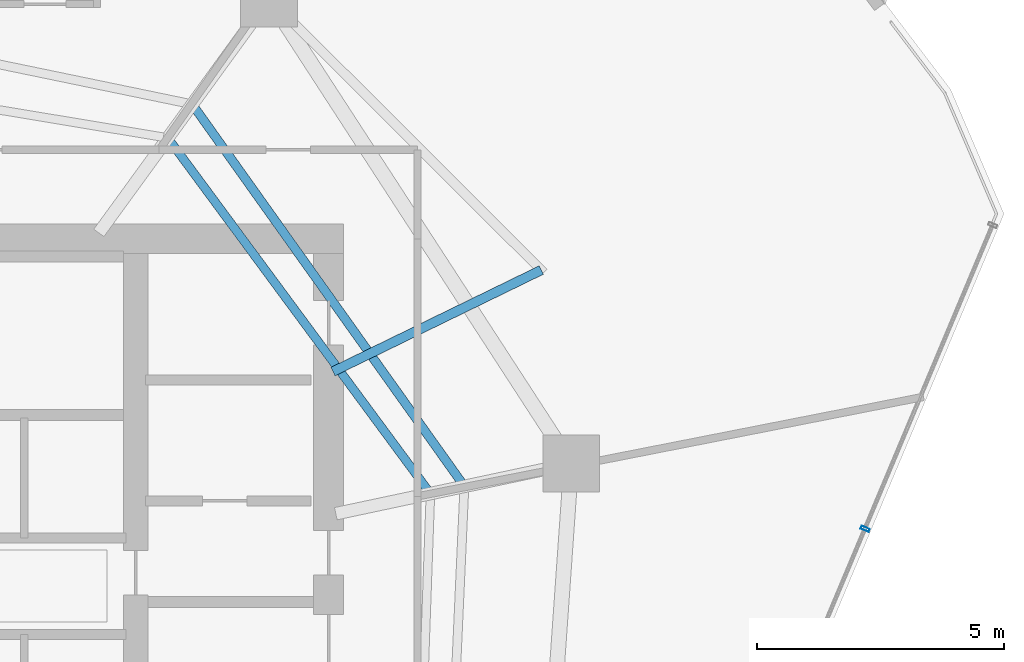
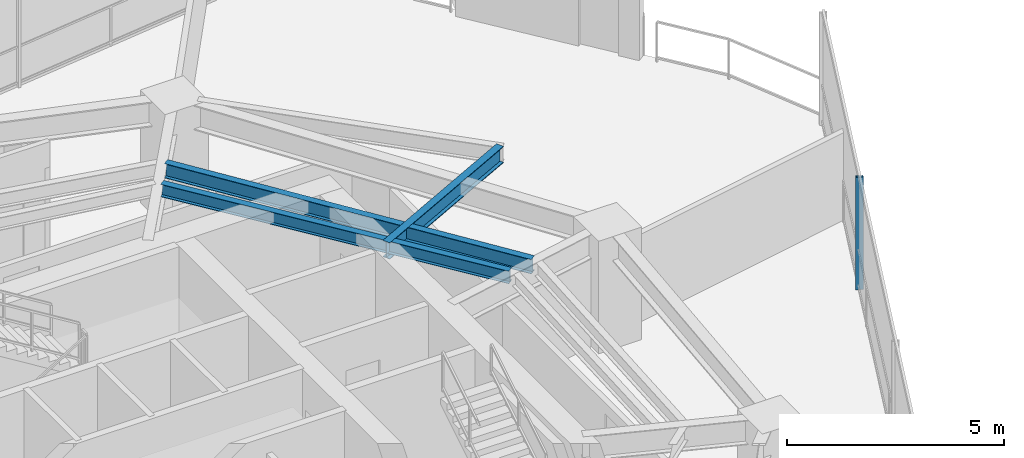
# One storey, part 15 of 30: 3 beams, 1 member, 1 element without a shape of its own.
"""IFC4 building model written with IfcOpenShell, lengths in metres."""

import ifcopenshell
import ifcopenshell.guid

model = None  # the IFC model being written
_history = None  # IfcOwnerHistory: only IFC2X3 demands one
_inside = {}  # id of a spatial element -> (the spatial element, [elements in it])
_under = {}  # id of a project, library or spatial element -> (it, [spatial elements below it])
_declared = {}  # id of a project -> (the project, [libraries it declares])
_typed = {}  # id of a type object -> (the type object, [elements of that type])
_made_of = {}  # id of a material, layer set ... -> (it, [elements and type objects made of it])


def new_model(schema):
    """Start an empty IFC model of exactly this schema.

    Asked for "IFC4X3", IfcOpenShell would pick the latest addendum, in which some entities
    have other attributes; the version numbers below select the first issue.
    IFC2X3 requires an IfcOwnerHistory on every rooted entity: one is made here for all.
    """
    global model, _history
    if schema == "IFC4X3":
        model = ifcopenshell.file(schema_version=(4, 3, 0, 0))
    else:
        model = ifcopenshell.file(schema=schema)
    _inside.clear()
    _under.clear()
    _declared.clear()
    _typed.clear()
    _made_of.clear()
    _history = None
    if model.schema == "IFC2X3":
        org = make("IfcOrganization", Name="unknown")
        user = make(
            "IfcPersonAndOrganization",
            ThePerson=make("IfcPerson", FamilyName="unknown"),
            TheOrganization=org,
        )
        app = make(
            "IfcApplication",
            ApplicationDeveloper=org,
            Version="unknown",
            ApplicationFullName="unknown",
            ApplicationIdentifier="unknown",
        )
        _history = make(
            "IfcOwnerHistory",
            OwningUser=user,
            OwningApplication=app,
            ChangeAction="ADDED",
            CreationDate=0,
        )
    return model


def make(cls, **values):
    """One entity of the class cls with the attributes given. An attribute that is None is left unset."""
    return model.create_entity(
        cls, **{name: value for name, value in values.items() if value is not None}
    )


def rooted(cls, **values):
    """An entity with a GlobalId (a new one), such as an element, a storey or a relation."""
    return make(cls, GlobalId=ifcopenshell.guid.new(), OwnerHistory=_history, **values)


def si_unit(unit_type, name, prefix=None):
    """IfcSIUnit, for example si_unit("LENGTHUNIT", "METRE", prefix="MILLI")."""
    return make("IfcSIUnit", UnitType=unit_type, Prefix=prefix, Name=name)


def assignment(units):
    """IfcUnitAssignment: the units of a project."""
    return None if units is None else make("IfcUnitAssignment", Units=units)


def point(xyz):
    """IfcCartesianPoint."""
    return None if xyz is None else make("IfcCartesianPoint", Coordinates=xyz)


def direction(xyz):
    """IfcDirection."""
    return None if xyz is None else make("IfcDirection", DirectionRatios=xyz)


def frame(location, z_axis=None, x_axis=None):
    """IfcAxis2Placement3D, a coordinate frame: its origin and axes. An axis left out is left unset."""
    return make(
        "IfcAxis2Placement3D",
        Location=point(location),
        Axis=direction(z_axis),
        RefDirection=direction(x_axis),
    )


def frame_2d(location, x_axis=None):
    """IfcAxis2Placement2D, a coordinate frame in the plane: its origin and x axis."""
    return make(
        "IfcAxis2Placement2D", Location=point(location), RefDirection=direction(x_axis)
    )


def origin():
    """The frame at (0, 0, 0) with its axes left unset."""
    return frame((0.0, 0.0, 0.0))


def origin_2d():
    """The frame at (0, 0) in the plane with its x axis left unset."""
    return frame_2d((0.0, 0.0))


def place(relative_to, where):
    """IfcLocalPlacement: puts the frame where relative to a parent placement (None: the world)."""
    return make(
        "IfcLocalPlacement", PlacementRelTo=relative_to, RelativePlacement=where
    )


def context(
    kind, dimensions, precision=None, world=None, true_north=None, identifier=None
):
    """IfcGeometricRepresentationContext, for example the 3D "Model" context."""
    return make(
        "IfcGeometricRepresentationContext",
        ContextIdentifier=identifier,
        ContextType=kind,
        CoordinateSpaceDimension=dimensions,
        Precision=precision,
        WorldCoordinateSystem=world,
        TrueNorth=true_north,
    )


def subcontext(parent, identifier, kind, view, scale=None):
    """IfcGeometricRepresentationSubContext, for example "Body" below "Model"."""
    return make(
        "IfcGeometricRepresentationSubContext",
        ContextIdentifier=identifier,
        ContextType=kind,
        ParentContext=parent,
        TargetScale=scale,
        TargetView=view,
    )


def project(units=None, contexts=None):
    """IfcProject with its units and contexts."""
    return rooted(
        "IfcProject",
        Name="project",
        RepresentationContexts=contexts,
        UnitsInContext=assignment(units),
    )


def spatial(cls, under=None, at=None, **own):
    """A site, building, storey or space (cls), placed at a placement, below another one or the project."""
    s = rooted(cls, ObjectPlacement=at, **own)
    if under is not None:
        _under.setdefault(under.id(), (under, []))[1].append(s)
    return s


def profile(cls, at=None, kind="AREA", **sizes):
    """A parametric profile (cls). Its sizes go by their IFC names, for example OverallWidth=200.0."""
    return make(cls, ProfileType=kind, Position=at, **sizes)


def hollow_rectangle(**sizes):
    """IfcRectangleHollowProfileDef."""
    return profile("IfcRectangleHollowProfileDef", **sizes)


def i_section(**sizes):
    """IfcIShapeProfileDef."""
    return profile("IfcIShapeProfileDef", **sizes)


def extrude(swept, where, along, depth):
    """IfcExtrudedAreaSolid: the profile swept, set in the frame where, extruded along a direction by depth."""
    return make(
        "IfcExtrudedAreaSolid",
        SweptArea=swept,
        Position=where,
        ExtrudedDirection=direction(along),
        Depth=depth,
    )


def shape(context_of_items, identifier, shape_type, items):
    """IfcShapeRepresentation: the items that make up one representation, for example the "Body"."""
    return make(
        "IfcShapeRepresentation",
        ContextOfItems=context_of_items,
        RepresentationIdentifier=identifier,
        RepresentationType=shape_type,
        Items=items,
    )


def material(Name=None, Category=None):
    """IfcMaterial."""
    return make("IfcMaterial", Name=Name, Category=Category)


def layer(
    of_material, thickness, ventilated=None, Name=None, Category=None, Priority=None
):
    """IfcMaterialLayer: one layer of a wall or slab, of a material (None: an air gap)."""
    return make(
        "IfcMaterialLayer",
        Material=of_material,
        LayerThickness=thickness,
        IsVentilated=ventilated,
        Name=Name,
        Category=Category,
        Priority=Priority,
    )


def layer_set(layers, Name=None):
    """IfcMaterialLayerSet."""
    return make("IfcMaterialLayerSet", MaterialLayers=layers, LayerSetName=Name)


def material_profile(
    of_material, cross_section, Name=None, Category=None, Priority=None
):
    """IfcMaterialProfile: a cross section and its material."""
    return make(
        "IfcMaterialProfile",
        Name=Name,
        Material=of_material,
        Profile=cross_section,
        Priority=Priority,
        Category=Category,
    )


def profile_set(profiles, Name=None, composite=None):
    """IfcMaterialProfileSet."""
    return make(
        "IfcMaterialProfileSet",
        Name=Name,
        MaterialProfiles=profiles,
        CompositeProfile=composite,
    )


def made_of(thing, what):
    """Note that an element or type object is made of a material, layer set ...; save() writes the relation."""
    if what is not None:
        _made_of.setdefault(what.id(), (what, []))[1].append(thing)
    return thing


def type_object(cls, material=None, **own):
    """A type object (cls), such as IfcWallType, which elements share."""
    return made_of(rooted(cls, **own), material)


def element(
    cls,
    number,
    at=None,
    inside=None,
    cuts=None,
    type_object=None,
    material=None,
    context=None,
    identifier="Body",
    shape_type=None,
    held_by="IfcProductDefinitionShape",
    body=None,
    shapes=None,
    **own,
):
    """One element of the class cls, such as IfcWall. Its Tag is "e" and its number.

    at: its placement. inside: the storey or other place that contains it. cuts: it is an
    opening in that element (IfcRelVoidsElement). A single representation is given by context,
    identifier, shape_type and body (its items); several are given by shapes. held_by: the class
    of the entity that holds the representations. save() writes the other relations.
    """
    e = rooted(cls, Tag="e%d" % number, ObjectPlacement=at, **own)
    if body is not None:
        shapes = [shape(context, identifier, shape_type, body)]
    if shapes is not None:
        e.Representation = make(held_by, Representations=shapes)
    if inside is not None:
        _inside.setdefault(inside.id(), (inside, []))[1].append(e)
    if cuts is not None:
        rooted(
            "IfcRelVoidsElement", RelatingBuildingElement=cuts, RelatedOpeningElement=e
        )
    if type_object is not None:
        _typed.setdefault(type_object.id(), (type_object, []))[1].append(e)
    return made_of(e, material)


def aggregate(whole, parts):
    """IfcRelAggregates: a whole, such as a stair, and the parts it consists of."""
    return rooted("IfcRelAggregates", RelatingObject=whole, RelatedObjects=parts)


def save(model, path):
    """Write the relations noted so far, then the file.

    IfcRelAggregates (storeys below a building ...), IfcRelContainedInSpatialStructure (elements
    in a storey), IfcRelDefinesByType, IfcRelAssociatesMaterial and IfcRelDeclares: one each for
    every whole, place, type object, material and project.
    """
    for whole, parts in _under.values():
        aggregate(whole, parts)
    for where, things in _inside.values():
        rooted(
            "IfcRelContainedInSpatialStructure",
            RelatedElements=things,
            RelatingStructure=where,
        )
    for kind, things in _typed.values():
        rooted("IfcRelDefinesByType", RelatedObjects=things, RelatingType=kind)
    for what, things in _made_of.values():
        rooted("IfcRelAssociatesMaterial", RelatedObjects=things, RelatingMaterial=what)
    for by, libraries in _declared.values():
        rooted("IfcRelDeclares", RelatingContext=by, RelatedDefinitions=libraries)
    model.write(path)


model = new_model("IFC4")

# Units and contexts
model_context = context("Model", 3, precision=1e-05, world=origin(), true_north=direction((0.0, 1.0)))
body_context = subcontext(model_context, "Body", "Model", "MODEL_VIEW")
ifc_project = project(units=[si_unit("LENGTHUNIT", "METRE"), si_unit("AREAUNIT", "SQUARE_METRE"), si_unit("VOLUMEUNIT", "CUBIC_METRE"), si_unit("PLANEANGLEUNIT", "RADIAN"), si_unit("MASSUNIT", "GRAM", prefix="KILO")], contexts=[model_context])

# Site, building, storey
site_placement = place(None, origin())
site = spatial("IfcSite", under=ifc_project, at=site_placement, CompositionType="ELEMENT")
building_placement = place(site_placement, origin())
building = spatial("IfcBuilding", under=site, at=building_placement, Name="Qarnah Convention Tower", CompositionType="ELEMENT")
storey_placement = place(building_placement, frame((0.0, 0.0, 93.60009765625)))
storey = spatial("IfcBuildingStorey", under=building, at=storey_placement, Name="L24", CompositionType="ELEMENT", Elevation=93.60009765625)

# Beams
ifc_material_1 = material(Name="Structural steel S355JR", Category="steel")
ifc_material_profile_1 = material_profile(ifc_material_1, i_section(OverallWidth=0.19189453125, OverallDepth=0.464111328125, WebThickness=0.010986328125, FlangeThickness=0.01806640625, at=origin_2d()), Name="W460X89")
ifc_profile_set_1 = profile_set([ifc_material_profile_1], Name="Structural steel S355JR")
beam_type_1 = type_object("IfcBeamType", Name="BM-CANT-W460A", PredefinedType="BEAM", material=ifc_profile_set_1)
beam_1_placement = place(storey_placement, frame((47.68994140625, 31.51611328125, 2.93798828125), z_axis=(0.898872044655, 0.438211190339, 0.0), x_axis=(-0.438211190339, 0.898872044655, 0.0)))
element("IfcBeam", 1, at=beam_1_placement, inside=storey, type_object=beam_type_1, Name="L24 beam BM-L24-CNT-01-2", PredefinedType="BEAM", context=body_context, shape_type="SweptSolid", body=[
    extrude(i_section(OverallWidth=0.19189453125, OverallDepth=0.464111328125, WebThickness=0.010986328125, FlangeThickness=0.01806640625, at=origin_2d()), origin(), (0.0, 0.0, 1.0), 4.687255859375),
])
ifc_material_profile_2 = material_profile(ifc_material_1, i_section(OverallWidth=0.172119140625, OverallDepth=0.35595703125, WebThickness=0.007080078125, FlangeThickness=0.011962890625, at=origin_2d()), Name="W360X51")
ifc_profile_set_2 = profile_set([ifc_material_profile_2], Name="Structural steel S355JR")
beam_type_2 = type_object("IfcBeamType", Name="BM-JST-W360", PredefinedType="JOIST", material=ifc_profile_set_2)
beam_2_placement = place(storey_placement, frame((49.60791015625, 29.12109375, 2.991943359375), z_axis=(-0.594009463015, 0.804458052262, 0.0), x_axis=(-0.804458052262, -0.594009463015, 0.0)))
element("IfcBeam", 2, at=beam_2_placement, inside=storey, type_object=beam_type_2, Name="L24 joist BM-L24-IJST-01", PredefinedType="JOIST", context=body_context, shape_type="SweptSolid", body=[
    extrude(i_section(OverallWidth=0.172119140625, OverallDepth=0.35595703125, WebThickness=0.007080078125, FlangeThickness=0.011962890625, at=origin_2d()), origin(), (0.0, 0.0, 1.0), 8.76220703125),
])
ifc_material_profile_3 = material_profile(ifc_material_1, i_section(OverallWidth=0.177978515625, OverallDepth=0.407958984375, WebThickness=0.008056640625, FlangeThickness=0.012939453125, at=origin_2d()), Name="W410X60")
ifc_profile_set_3 = profile_set([ifc_material_profile_3], Name="Structural steel S355JR")
beam_type_3 = type_object("IfcBeamType", Name="BM-JST-W410", PredefinedType="JOIST", material=ifc_profile_set_3)
beam_3_placement = place(storey_placement, frame((50.2958984375, 29.26806640625, 2.9658203125), z_axis=(-0.580091214001, 0.814551522888, 0.0), x_axis=(-0.814551522888, -0.580091214001, 0.0)))
element("IfcBeam", 3, at=beam_3_placement, inside=storey, type_object=beam_type_3, Name="L24 joist BM-L24-SJST-01", PredefinedType="JOIST", context=body_context, shape_type="SweptSolid", body=[
    extrude(i_section(OverallWidth=0.177978515625, OverallDepth=0.407958984375, WebThickness=0.008056640625, FlangeThickness=0.012939453125, at=origin_2d()), origin(), (0.0, 0.0, 1.0), 9.30712890625),
])

# Curtain wall, member
ifc_material_2 = material(Name="Tempered Low-E dark glass", Category="glass")
ifc_layer = layer(ifc_material_2, 0.169921875)
ifc_layer_set = layer_set([ifc_layer], Name="Tempered Low-E dark glass")
curtain_wall_type = type_object("IfcCurtainWallType", Name="CWS-02", PredefinedType="NOTDEFINED", material=ifc_layer_set)
curtain_wall_placement = place(storey_placement, origin())
curtain_wall = element("IfcCurtainWall", 4, at=curtain_wall_placement, inside=storey, type_object=curtain_wall_type, Name="L24 unitised curtain wall CW-L24-F3", PredefinedType="NOTDEFINED")
ifc_material_3 = material(Name="Black anodised aluminium", Category="aluminium")
ifc_material_profile_4 = material_profile(ifc_material_3, hollow_rectangle(XDim=0.06494140625, YDim=0.179931640625, WallThickness=0.00390625, at=origin_2d()), Name="MUL-65X180")
ifc_profile_set_4 = profile_set([ifc_material_profile_4], Name="Black anodised aluminium")
member_type = type_object("IfcMemberType", Name="MUL-T2", PredefinedType="MULLION", material=ifc_profile_set_4)
member_placement = place(storey_placement, frame((58.452880859375, 28.33544921875, 0.0), z_axis=(0.0, 0.0, 1.0), x_axis=(-0.387506592377, -0.921866932298, 0.0)))
member = element("IfcMember", 5, at=member_placement, type_object=member_type, Name="CW-L24-F3 mullion 2", PredefinedType="MULLION", context=body_context, shape_type="SweptSolid", body=[
    extrude(hollow_rectangle(XDim=0.06494140625, YDim=0.179931640625, WallThickness=0.00390625, at=origin_2d()), origin(), (0.0, 0.0, 1.0), 3.169921875),
])
aggregate(curtain_wall, [member])

save(model, "model.ifc")
